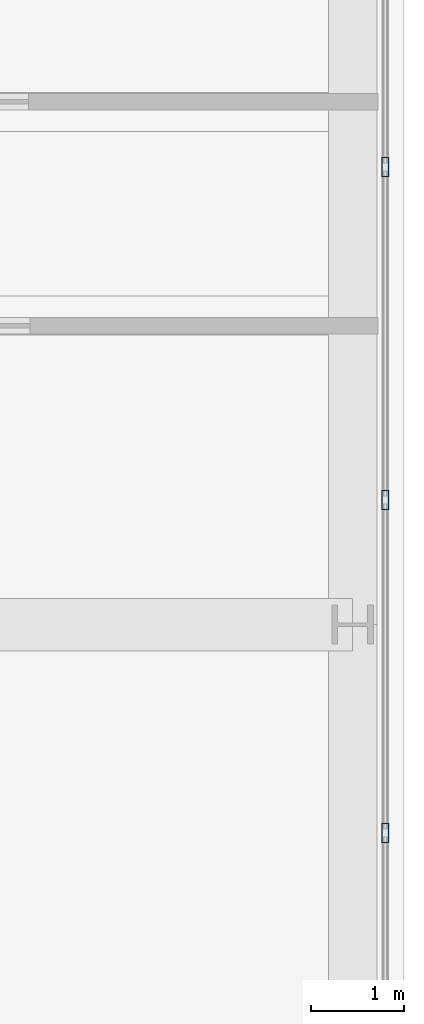
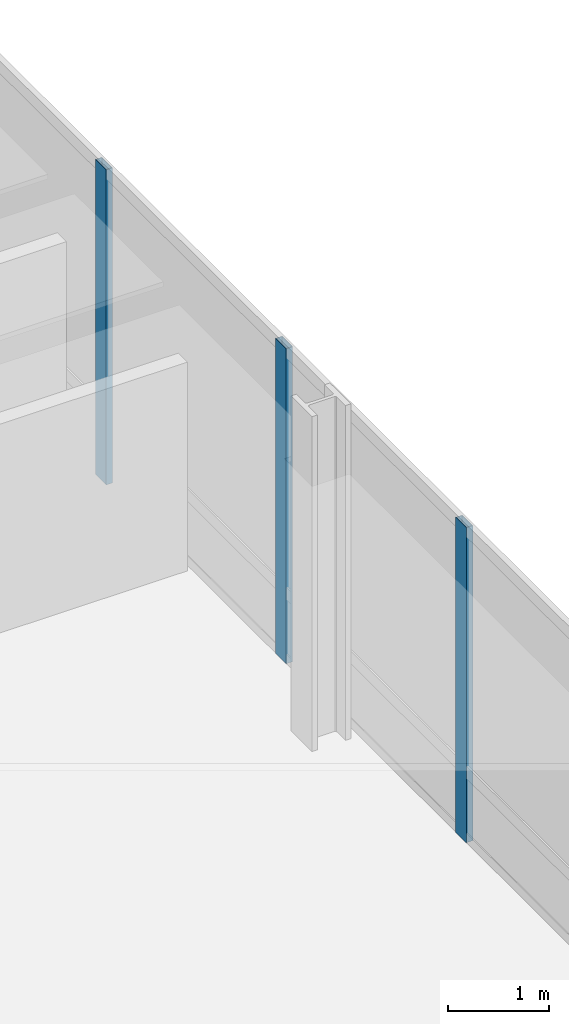
# One storey, part 16 of 40: 3 members, 1 element without a shape of its own.
"""IFC4 building model written with IfcOpenShell, lengths in metres."""

from ifc_helpers import new_model, si_unit, direction, frame, origin, origin_2d, place, context, subcontext, project, spatial, hollow_rectangle, extrude, material, material_profile, profile_set, type_object, element, aggregate, save


model = new_model("IFC4")

# Units and contexts
model_context = context("Model", 3, precision=1e-05, world=origin(), true_north=direction((0.0, 1.0)))
body_context = subcontext(model_context, "Body", "Model", "MODEL_VIEW")
ifc_project = project(units=[si_unit("LENGTHUNIT", "METRE"), si_unit("AREAUNIT", "SQUARE_METRE"), si_unit("VOLUMEUNIT", "CUBIC_METRE"), si_unit("PLANEANGLEUNIT", "RADIAN"), si_unit("MASSUNIT", "GRAM", prefix="KILO")], contexts=[model_context])

# Site, building, storey
site_placement = place(None, origin())
site = spatial("IfcSite", under=ifc_project, at=site_placement, CompositionType="ELEMENT")
building_placement = place(site_placement, origin())
building = spatial("IfcBuilding", under=site, at=building_placement, Name="Punatoya Terracotta Tower", CompositionType="ELEMENT")
storey_placement = place(building_placement, frame((0.0, 0.0, 76.800048828125)))
storey = spatial("IfcBuildingStorey", under=building, at=storey_placement, Name="L17", CompositionType="ELEMENT", Elevation=76.800048828125)

# Curtain wall, members
ifc_material_1 = material(Name="Aluminium 6063-T6 + Double Low-E Glass", Category="aluminium")
curtain_wall_type = type_object("IfcCurtainWallType", Name="CW-M1", PredefinedType="NOTDEFINED", material=ifc_material_1)
curtain_wall_placement = place(storey_placement, origin())
curtain_wall = element("IfcCurtainWall", 1, at=curtain_wall_placement, inside=storey, type_object=curtain_wall_type, Name="L17 Curtain Wall CW-L17-E05-1", PredefinedType="NOTDEFINED")
ifc_material_2 = material(Name="Aluminium 6063-T6", Category="aluminium")
ifc_material_profile = material_profile(ifc_material_2, hollow_rectangle(XDim=0.074951171875, YDim=0.2099609375, WallThickness=0.00439453125, at=origin_2d()))
ifc_profile_set = profile_set([ifc_material_profile], Name="Aluminium 6063-T6")
member_type = type_object("IfcMemberType", Name="CW-MUL-M1", PredefinedType="MULLION", material=ifc_profile_set)
member_1_placement = place(storey_placement, frame((24.85009765625, 1.16748046875, 0.0), z_axis=(0.0, 0.0, 1.0), x_axis=(1.0, 0.0, 0.0)))
member_1 = element("IfcMember", 2, at=member_1_placement, type_object=member_type, Name="CW-L17-E05-1 Mullion 06", PredefinedType="MULLION", context=body_context, shape_type="SweptSolid", body=[
    extrude(hollow_rectangle(XDim=0.074951171875, YDim=0.2099609375, WallThickness=0.00439453125, at=origin_2d()), origin(), (0.0, 0.0, 1.0), 3.81005859375),
])
member_2_placement = place(storey_placement, frame((24.85009765625, 4.73486328125, 0.0), z_axis=(0.0, 0.0, 1.0), x_axis=(1.0, 0.0, 0.0)))
member_2 = element("IfcMember", 3, at=member_2_placement, type_object=member_type, Name="CW-L17-E05-1 Mullion 07", PredefinedType="MULLION", context=body_context, shape_type="SweptSolid", body=[
    extrude(hollow_rectangle(XDim=0.074951171875, YDim=0.2099609375, WallThickness=0.00439453125, at=origin_2d()), origin(), (0.0, 0.0, 1.0), 3.81005859375),
])
member_3_placement = place(storey_placement, frame((24.85009765625, 8.302001953125, 0.0), z_axis=(0.0, 0.0, 1.0), x_axis=(1.0, 0.0, 0.0)))
member_3 = element("IfcMember", 4, at=member_3_placement, type_object=member_type, Name="CW-L17-E05-1 Mullion 08", PredefinedType="MULLION", context=body_context, shape_type="SweptSolid", body=[
    extrude(hollow_rectangle(XDim=0.074951171875, YDim=0.2099609375, WallThickness=0.00439453125, at=origin_2d()), origin(), (0.0, 0.0, 1.0), 3.81005859375),
])
aggregate(curtain_wall, [member_1, member_2, member_3])

save(model, "model.ifc")
